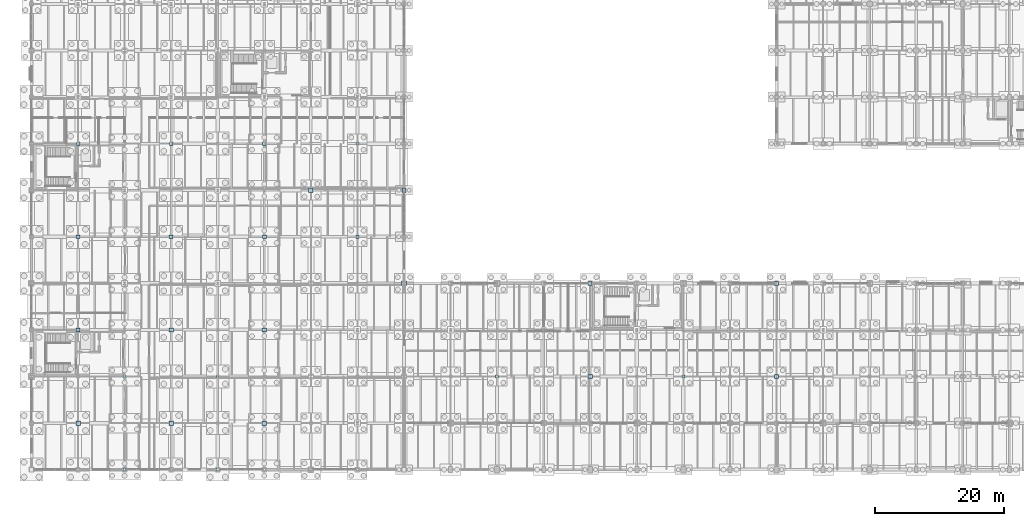
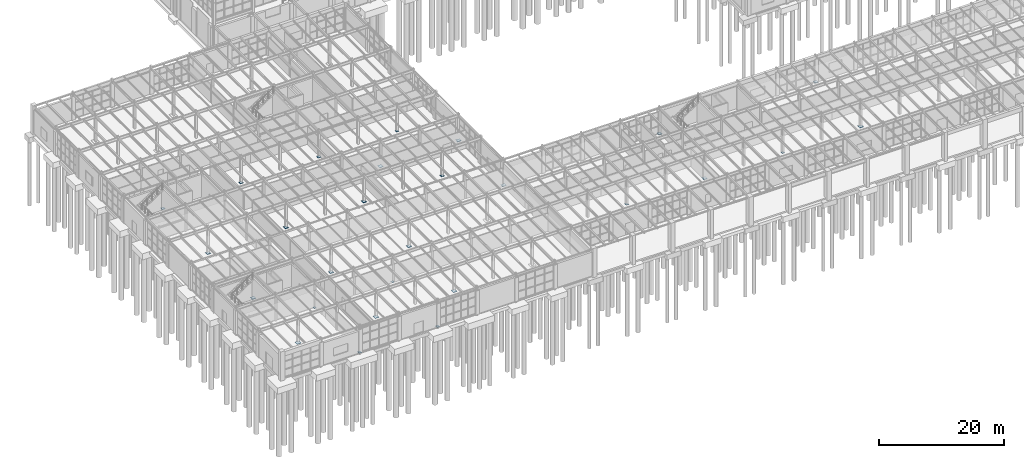
# One storey, part 255 of 293: 27 plates.
"""IFC4 building model written with IfcOpenShell, lengths in metres."""

from ifc_helpers import new_model, si_unit, direction, frame, origin, origin_2d, place, context, subcontext, project, spatial, rectangle, extrude, material, layer, layer_set, type_object, element, save


model = new_model("IFC4")

# Units and contexts
model_context = context("Model", 3, precision=1e-05, world=origin(), true_north=direction((0.0, 1.0)))
body_context = subcontext(model_context, "Body", "Model", "MODEL_VIEW")
ifc_project = project(units=[si_unit("LENGTHUNIT", "METRE"), si_unit("AREAUNIT", "SQUARE_METRE"), si_unit("VOLUMEUNIT", "CUBIC_METRE"), si_unit("PLANEANGLEUNIT", "RADIAN"), si_unit("MASSUNIT", "GRAM", prefix="KILO")], contexts=[model_context])

# Site, building, storey
site_placement = place(None, origin())
site = spatial("IfcSite", under=ifc_project, at=site_placement, CompositionType="ELEMENT")
building_placement = place(site_placement, origin())
building = spatial("IfcBuilding", under=site, at=building_placement, Name="Kemerveld Promenade Tramway Depot", CompositionType="ELEMENT")
storey_placement = place(building_placement, origin())
storey = spatial("IfcBuildingStorey", under=building, at=storey_placement, Name="L00", CompositionType="ELEMENT", Elevation=0.0)

# Plates
ifc_material = material(Name="Steel S355", Category="steel")
ifc_layer_1 = layer(ifc_material, 0.034912109375)
ifc_layer_set_1 = layer_set([ifc_layer_1], Name="PL-BP05")
plate_type_1 = type_object("IfcPlateType", Name="PL-BP05", PredefinedType="USERDEFINED", material=ifc_layer_set_1)
for number, where, z_axis, x_axis, name in (
    (1, (7.199951171875, 7.199951171875, 0.0), (0.0, 0.0, 1.0), (1.0, 0.0, 0.0), "BP-02-B"),
    (2, (21.60009765625, 7.199951171875, 0.0), (0.0, 0.0, 1.0), (1.0, 0.0, 0.0), "BP-04-B"),
    (3, (36.0, 7.199951171875, 0.0), (0.0, 0.0, 1.0), (1.0, 0.0, 0.0), "BP-06-B"),
    (4, (43.199951171875, 43.199951171875, 0.0), (0.0, 0.0, 1.0), (1.0, 0.0, 0.0), "BP-07-G"),
    (5, (57.60009765625, 28.800048828125, 0.0), (0.0, 0.0, 1.0), (1.0, 0.0, 0.0), "BP-09-E"),
):
    element("IfcPlate", number, at=place(storey_placement, frame(where, z_axis=z_axis, x_axis=x_axis)), inside=storey, type_object=plate_type_1, Name=name, ObjectType="BASE_PLATE", PredefinedType="USERDEFINED", context=body_context, shape_type="SweptSolid", body=[
        extrude(rectangle(XDim=0.699951171875, YDim=0.699951171875, at=origin_2d()), origin(), (0.0, 0.0, 1.0), 0.034912109375),
    ])
ifc_layer_2 = layer(ifc_material, 0.030029296875)
ifc_layer_set_2 = layer_set([ifc_layer_2], Name="PL-BP06")
plate_type_2 = type_object("IfcPlateType", Name="PL-BP06", PredefinedType="USERDEFINED", material=ifc_layer_set_2)
for number, where, z_axis, x_axis, name in (
    (6, (7.199951171875, 21.60009765625, 0.0), (0.0, 0.0, 1.0), (1.0, 0.0, 0.0), "BP-02-D"),
    (7, (21.60009765625, 21.60009765625, 0.0), (0.0, 0.0, 1.0), (1.0, 0.0, 0.0), "BP-04-D"),
    (8, (36.0, 21.60009765625, 0.0), (0.0, 0.0, 1.0), (1.0, 0.0, 0.0), "BP-06-D"),
    (9, (57.60009765625, 43.199951171875, 0.0), (0.0, 0.0, 1.0), (1.0, 0.0, 0.0), "BP-09-G"),
    (10, (86.39990234375, 14.39990234375, 0.0), (0.0, 0.0, 1.0), (1.0, 0.0, 0.0), "BP-13-C"),
    (11, (115.199951171875, 14.39990234375, 0.0), (0.0, 0.0, 1.0), (1.0, 0.0, 0.0), "BP-17-C"),
):
    element("IfcPlate", number, at=place(storey_placement, frame(where, z_axis=z_axis, x_axis=x_axis)), inside=storey, type_object=plate_type_2, Name=name, ObjectType="BASE_PLATE", PredefinedType="USERDEFINED", context=body_context, shape_type="SweptSolid", body=[
        extrude(rectangle(XDim=0.64990234375, YDim=0.64990234375, at=origin_2d()), origin(), (0.0, 0.0, 1.0), 0.030029296875),
    ])
ifc_layer_3 = layer(ifc_material, 0.030029296875)
ifc_layer_set_3 = layer_set([ifc_layer_3], Name="PL-BP07")
plate_type_3 = type_object("IfcPlateType", Name="PL-BP07", PredefinedType="USERDEFINED", material=ifc_layer_set_3)
for number, where, z_axis, x_axis, name in (
    (12, (7.199951171875, 36.0, 0.0), (0.0, 0.0, 1.0), (1.0, 0.0, 0.0), "BP-02-F"),
    (13, (21.60009765625, 36.0, 0.0), (0.0, 0.0, 1.0), (1.0, 0.0, 0.0), "BP-04-F"),
    (14, (36.0, 36.0, 0.0), (0.0, 0.0, 1.0), (1.0, 0.0, 0.0), "BP-06-F"),
    (15, (86.39990234375, 28.800048828125, 0.0), (0.0, 0.0, 1.0), (1.0, 0.0, 0.0), "BP-13-E"),
    (16, (115.199951171875, 28.800048828125, 0.0), (0.0, 0.0, 1.0), (1.0, 0.0, 0.0), "BP-17-E"),
):
    element("IfcPlate", number, at=place(storey_placement, frame(where, z_axis=z_axis, x_axis=x_axis)), inside=storey, type_object=plate_type_3, Name=name, ObjectType="BASE_PLATE", PredefinedType="USERDEFINED", context=body_context, shape_type="SweptSolid", body=[
        extrude(rectangle(XDim=0.60009765625, YDim=0.60009765625, at=origin_2d()), origin(), (0.0, 0.0, 1.0), 0.030029296875),
    ])
ifc_layer_4 = layer(ifc_material, 0.02490234375)
ifc_layer_set_4 = layer_set([ifc_layer_4], Name="PL-BP08")
plate_type_4 = type_object("IfcPlateType", Name="PL-BP08", PredefinedType="USERDEFINED", material=ifc_layer_set_4)
for number, where, z_axis, x_axis, name in (
    (17, (7.199951171875, 50.39990234375, 0.0), (0.0, 0.0, 1.0), (1.0, 0.0, 0.0), "BP-02-H"),
    (18, (21.60009765625, 50.39990234375, 0.0), (0.0, 0.0, 1.0), (1.0, 0.0, 0.0), "BP-04-H"),
    (19, (36.0, 50.39990234375, 0.0), (0.0, 0.0, 1.0), (1.0, 0.0, 0.0), "BP-06-H"),
):
    element("IfcPlate", number, at=place(storey_placement, frame(where, z_axis=z_axis, x_axis=x_axis)), inside=storey, type_object=plate_type_4, Name=name, ObjectType="BASE_PLATE", PredefinedType="USERDEFINED", context=body_context, shape_type="SweptSolid", body=[
        extrude(rectangle(XDim=0.550048828125, YDim=0.550048828125, at=origin_2d()), origin(), (0.0, 0.0, 1.0), 0.02490234375),
    ])
ifc_layer_5 = layer(ifc_material, 0.02490234375)
ifc_layer_set_5 = layer_set([ifc_layer_5], Name="PL-BP11")
plate_type_5 = type_object("IfcPlateType", Name="PL-BP11", PredefinedType="USERDEFINED", material=ifc_layer_set_5)
for number, where, z_axis, x_axis, name in (
    (20, (14.39990234375, 0.0, 0.0), (0.0, 0.0, 1.0), (1.0, 0.0, 0.0), "BP-03-A"),
    (21, (28.800048828125, 0.0, 0.0), (0.0, 0.0, 1.0), (1.0, 0.0, 0.0), "BP-05-A"),
    (22, (50.39990234375, 36.0, 0.0), (0.0, 0.0, 1.0), (1.0, 0.0, 0.0), "BP-08-F"),
):
    element("IfcPlate", number, at=place(storey_placement, frame(where, z_axis=z_axis, x_axis=x_axis)), inside=storey, type_object=plate_type_5, Name=name, ObjectType="BASE_PLATE", PredefinedType="USERDEFINED", context=body_context, shape_type="SweptSolid", body=[
        extrude(rectangle(XDim=0.5, YDim=0.5, at=origin_2d()), origin(), (0.0, 0.0, 1.0), 0.02490234375),
    ])
ifc_layer_6 = layer(ifc_material, 0.02197265625)
ifc_layer_set_6 = layer_set([ifc_layer_6], Name="PL-BP12")
plate_type_6 = type_object("IfcPlateType", Name="PL-BP12", PredefinedType="USERDEFINED", material=ifc_layer_set_6)
for number, where, z_axis, x_axis, name in (
    (23, (14.39990234375, 14.39990234375, 0.0), (0.0, 0.0, 1.0), (1.0, 0.0, 0.0), "BP-03-C"),
    (24, (28.800048828125, 14.39990234375, 0.0), (0.0, 0.0, 1.0), (1.0, 0.0, 0.0), "BP-05-C"),
    (25, (50.39990234375, 50.39990234375, 0.0), (0.0, 0.0, 1.0), (1.0, 0.0, 0.0), "BP-08-H"),
    (26, (72.0, 14.39990234375, 0.0), (0.0, 0.0, 1.0), (1.0, 0.0, 0.0), "BP-11-C"),
    (27, (100.800048828125, 14.39990234375, 0.0), (0.0, 0.0, 1.0), (1.0, 0.0, 0.0), "BP-15-C"),
):
    element("IfcPlate", number, at=place(storey_placement, frame(where, z_axis=z_axis, x_axis=x_axis)), inside=storey, type_object=plate_type_6, Name=name, ObjectType="BASE_PLATE", PredefinedType="USERDEFINED", context=body_context, shape_type="SweptSolid", body=[
        extrude(rectangle(XDim=0.449951171875, YDim=0.449951171875, at=origin_2d()), origin(), (0.0, 0.0, 1.0), 0.02197265625),
    ])

save(model, "model.ifc")
